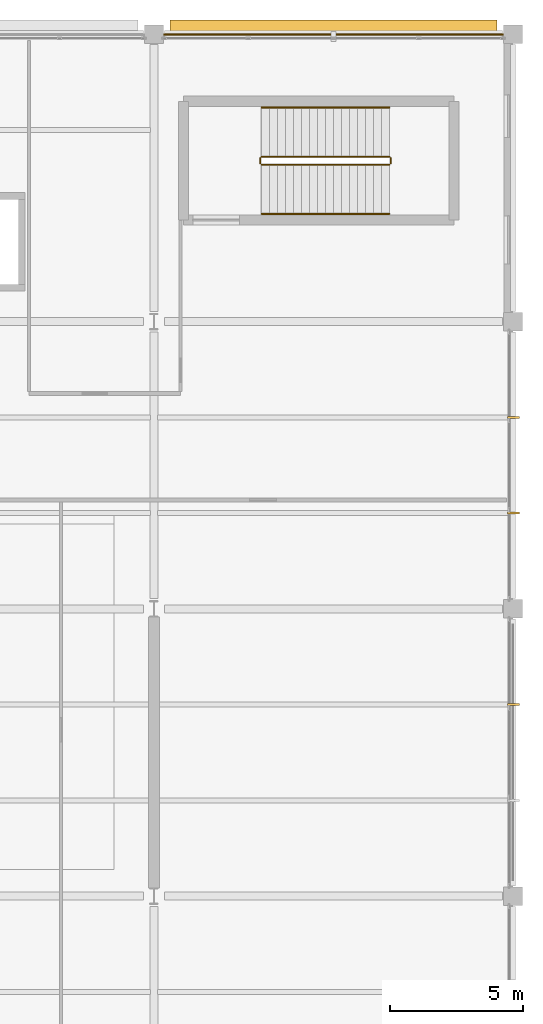
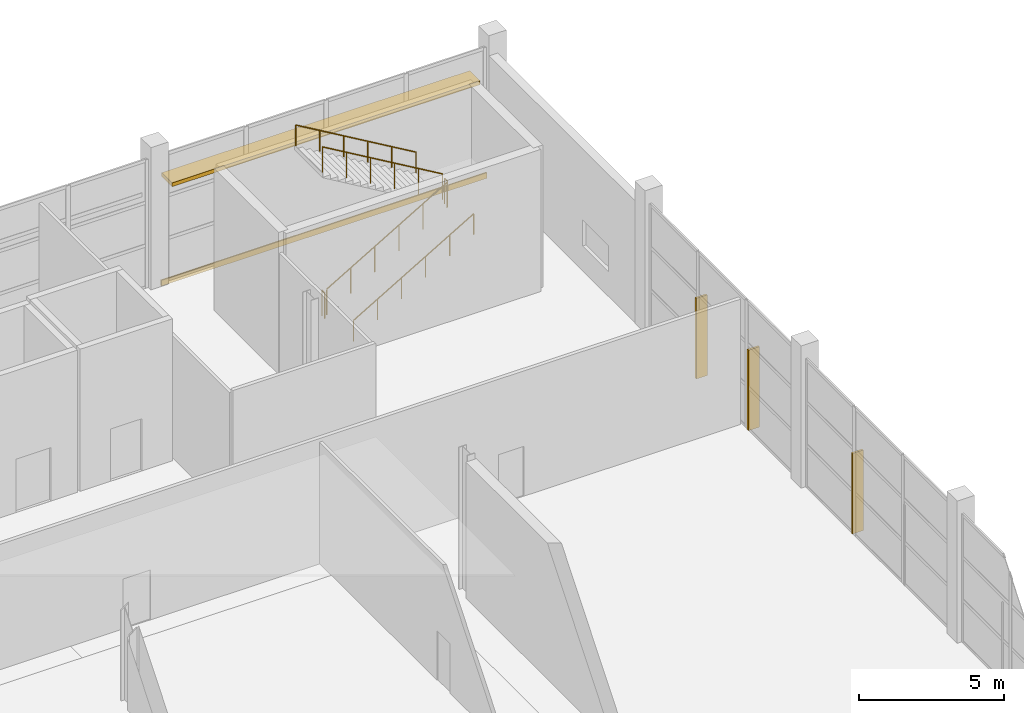
# One storey, part 191 of 191: 6 railings, 4 shading devices, 1 covering.
"""IFC4 building model written with IfcOpenShell, lengths in metres."""

from ifc_helpers import new_model, si_unit, direction, frame, origin, origin_2d, place, context, subcontext, project, spatial, rectangle, circle, extrude, material, layer, layer_set, type_object, element, save


model = new_model("IFC4")

# Units and contexts
model_context = context("Model", 3, precision=1e-05, world=origin(), true_north=direction((0.0, 1.0)))
body_context = subcontext(model_context, "Body", "Model", "MODEL_VIEW")
ifc_project = project(units=[si_unit("LENGTHUNIT", "METRE"), si_unit("AREAUNIT", "SQUARE_METRE"), si_unit("VOLUMEUNIT", "CUBIC_METRE"), si_unit("PLANEANGLEUNIT", "RADIAN"), si_unit("MASSUNIT", "GRAM", prefix="KILO")], contexts=[model_context])

# Site, building, storey
site_placement = place(None, origin())
site = spatial("IfcSite", under=ifc_project, at=site_placement, CompositionType="ELEMENT")
building_placement = place(site_placement, origin())
building = spatial("IfcBuilding", under=site, at=building_placement, Name="Tamarisk Ironworks Central Station", CompositionType="ELEMENT")
storey_placement = place(building_placement, frame((0.0, 0.0, 6.60009765625)))
storey = spatial("IfcBuildingStorey", under=building, at=storey_placement, Name="L01", CompositionType="ELEMENT", Elevation=6.60009765625)

# Covering
ifc_material_1 = material(Name="Clay facing brickwork and mortar", Category="masonry")
ifc_layer = layer(ifc_material_1, 0.050048828125)
ifc_layer_set = layer_set([ifc_layer], Name="Clay facing brickwork and mortar")
covering_type = type_object("IfcCoveringType", Name="COV-CLAD", PredefinedType="CLADDING", material=ifc_layer_set)
covering_placement = place(storey_placement, frame((173.25, 122.389892578125, -0.240234375), z_axis=(0.0, 0.0, 1.0), x_axis=(1.0, 0.0, 0.0)))
element("IfcCovering", 1, at=covering_placement, inside=storey, type_object=covering_type, Name="L01 terracotta slab-edge spandrel cladding 006", PredefinedType="CLADDING", context=body_context, shape_type="SweptSolid", body=[
    extrude(rectangle(XDim=13.0, YDim=0.050048828125, at=origin_2d()), origin(), (0.0, 0.0, 1.0), 0.239990234375),
])

# Railings
ifc_material_2 = material(Name="Brushed stainless steel AISI 316", Category="steel")
railing_type_1 = type_object("IfcRailingType", Name="RL-GUARD-INT", PredefinedType="BALUSTRADE", material=ifc_material_2)
railing_1_placement = place(storey_placement, frame((170.550048828125, 117.5, 0.17626953125)))
element("IfcRailing", 2, at=railing_1_placement, inside=storey, type_object=railing_type_1, Name="L01 ST-C2 stair guard 1", PredefinedType="BALUSTRADE", context=body_context, shape_type="SweptSolid", body=[
    extrude(circle(Radius=0.02392578125, at=origin_2d()), frame((0.0, 0.0, 1.076171875), z_axis=(0.861920691219, 0.0, 0.507043116558), x_axis=(0.0, 1.0, 0.0)), (0.0, 0.0, 1.0), 5.569091796875),
    extrude(circle(Radius=0.02099609375, at=origin_2d()), origin(), (0.0, 0.0, 1.0), 1.052001953125),
    extrude(circle(Radius=0.02099609375, at=origin_2d()), frame((0.9599609375, 0.0, 0.564697265625)), (0.0, 0.0, 1.0), 1.052001953125),
    extrude(circle(Radius=0.02099609375, at=origin_2d()), frame((1.919921875, 0.0, 1.12939453125)), (0.0, 0.0, 1.0), 1.052001953125),
    extrude(circle(Radius=0.02099609375, at=origin_2d()), frame((2.880126953125, 0.0, 1.6943359375)), (0.0, 0.0, 1.0), 1.052001953125),
    extrude(circle(Radius=0.02099609375, at=origin_2d()), frame((3.840087890625, 0.0, 2.259033203125)), (0.0, 0.0, 1.0), 1.052001953125),
    extrude(circle(Radius=0.02099609375, at=origin_2d()), frame((4.800048828125, 0.0, 2.82373046875)), (0.0, 0.0, 1.0), 1.052001953125),
])
railing_2_placement = place(storey_placement, frame((175.39990234375, 117.550048828125, 3.0)))
element("IfcRailing", 3, at=railing_2_placement, inside=storey, type_object=railing_type_1, Name="L01 ST-C2 stair guard 2", PredefinedType="BALUSTRADE", context=body_context, shape_type="SweptSolid", body=[
    extrude(circle(Radius=0.02392578125, at=origin_2d()), frame((0.0, 0.0, 1.076171875), z_axis=(0.0, 1.0, 0.0), x_axis=(-1.0, 0.0, 0.0)), (0.0, 0.0, 1.0), 0.199951171875),
    extrude(circle(Radius=0.02099609375, at=origin_2d()), origin(), (0.0, 0.0, 1.0), 1.052001953125),
    extrude(circle(Radius=0.02099609375, at=origin_2d()), frame((0.0, 0.199951171875, 0.0)), (0.0, 0.0, 1.0), 1.052001953125),
])
railing_3_placement = place(storey_placement, frame((175.35009765625, 117.800048828125, 3.17626953125)))
element("IfcRailing", 4, at=railing_3_placement, inside=storey, type_object=railing_type_1, Name="L01 ST-C2 stair guard 3", PredefinedType="BALUSTRADE", context=body_context, shape_type="SweptSolid", body=[
    extrude(circle(Radius=0.02392578125, at=origin_2d()), frame((0.0, 0.0, 1.076171875), z_axis=(-0.861920691219, 0.0, 0.507043116558), x_axis=(0.0, -1.0, 0.0)), (0.0, 0.0, 1.0), 5.569091796875),
    extrude(circle(Radius=0.02099609375, at=origin_2d()), origin(), (0.0, 0.0, 1.0), 1.052001953125),
    extrude(circle(Radius=0.02099609375, at=origin_2d()), frame((-0.9599609375, 0.0, 0.564697265625)), (0.0, 0.0, 1.0), 1.052001953125),
    extrude(circle(Radius=0.02099609375, at=origin_2d()), frame((-1.919921875, 0.0, 1.12939453125)), (0.0, 0.0, 1.0), 1.052001953125),
    extrude(circle(Radius=0.02099609375, at=origin_2d()), frame((-2.880126953125, 0.0, 1.6943359375)), (0.0, 0.0, 1.0), 1.052001953125),
    extrude(circle(Radius=0.02099609375, at=origin_2d()), frame((-3.840087890625, 0.0, 2.259033203125)), (0.0, 0.0, 1.0), 1.052001953125),
    extrude(circle(Radius=0.02099609375, at=origin_2d()), frame((-4.800048828125, 0.0, 2.82373046875)), (0.0, 0.0, 1.0), 1.052001953125),
])
railing_4_placement = place(storey_placement, frame((170.5, 117.550048828125, 0.0)))
element("IfcRailing", 5, at=railing_4_placement, inside=storey, type_object=railing_type_1, Name="L01 ST-C2 stair guard 4", PredefinedType="BALUSTRADE", context=body_context, shape_type="SweptSolid", body=[
    extrude(circle(Radius=0.02392578125, at=origin_2d()), frame((0.0, 0.0, 1.076171875), z_axis=(0.0, 1.0, 0.0), x_axis=(-1.0, 0.0, 0.0)), (0.0, 0.0, 1.0), 0.199951171875),
    extrude(circle(Radius=0.02099609375, at=origin_2d()), origin(), (0.0, 0.0, 1.0), 1.052001953125),
    extrude(circle(Radius=0.02099609375, at=origin_2d()), frame((0.0, 0.199951171875, 0.0)), (0.0, 0.0, 1.0), 1.052001953125),
])
railing_type_2 = type_object("IfcRailingType", Name="RL-HAND", PredefinedType="HANDRAIL", material=ifc_material_2)
railing_5_placement = place(storey_placement, frame((170.550048828125, 115.64990234375, 0.17626953125)))
element("IfcRailing", 6, at=railing_5_placement, inside=storey, type_object=railing_type_2, Name="L01 ST-C2 stair handrail 1", PredefinedType="HANDRAIL", context=body_context, shape_type="SweptSolid", body=[
    extrude(circle(Radius=0.02392578125, at=origin_2d()), frame((0.0, 0.0, 0.8759765625), z_axis=(0.861920691219, 0.0, 0.507043116558), x_axis=(0.0, 1.0, 0.0)), (0.0, 0.0, 1.0), 5.569091796875),
    extrude(circle(Radius=0.02099609375, at=origin_2d()), origin(), (0.0, 0.0, 1.0), 0.851806640625),
    extrude(circle(Radius=0.02099609375, at=origin_2d()), frame((0.9599609375, 0.0, 0.564697265625)), (0.0, 0.0, 1.0), 0.851806640625),
    extrude(circle(Radius=0.02099609375, at=origin_2d()), frame((1.919921875, 0.0, 1.12939453125)), (0.0, 0.0, 1.0), 0.851806640625),
    extrude(circle(Radius=0.02099609375, at=origin_2d()), frame((2.880126953125, 0.0, 1.6943359375)), (0.0, 0.0, 1.0), 0.851806640625),
    extrude(circle(Radius=0.02099609375, at=origin_2d()), frame((3.840087890625, 0.0, 2.259033203125)), (0.0, 0.0, 1.0), 0.851806640625),
    extrude(circle(Radius=0.02099609375, at=origin_2d()), frame((4.800048828125, 0.0, 2.82373046875)), (0.0, 0.0, 1.0), 0.851806640625),
])
railing_6_placement = place(storey_placement, frame((175.35009765625, 119.64990234375, 3.17626953125)))
element("IfcRailing", 7, at=railing_6_placement, inside=storey, type_object=railing_type_2, Name="L01 ST-C2 stair handrail 2", PredefinedType="HANDRAIL", context=body_context, shape_type="SweptSolid", body=[
    extrude(circle(Radius=0.02392578125, at=origin_2d()), frame((0.0, 0.0, 0.8759765625), z_axis=(-0.861920691219, 0.0, 0.507043116558), x_axis=(0.0, -1.0, 0.0)), (0.0, 0.0, 1.0), 5.569091796875),
    extrude(circle(Radius=0.02099609375, at=origin_2d()), origin(), (0.0, 0.0, 1.0), 0.851806640625),
    extrude(circle(Radius=0.02099609375, at=origin_2d()), frame((-0.9599609375, 0.0, 0.564697265625)), (0.0, 0.0, 1.0), 0.851806640625),
    extrude(circle(Radius=0.02099609375, at=origin_2d()), frame((-1.919921875, 0.0, 1.12939453125)), (0.0, 0.0, 1.0), 0.851806640625),
    extrude(circle(Radius=0.02099609375, at=origin_2d()), frame((-2.880126953125, 0.0, 1.6943359375)), (0.0, 0.0, 1.0), 0.851806640625),
    extrude(circle(Radius=0.02099609375, at=origin_2d()), frame((-3.840087890625, 0.0, 2.259033203125)), (0.0, 0.0, 1.0), 0.851806640625),
    extrude(circle(Radius=0.02099609375, at=origin_2d()), frame((-4.800048828125, 0.0, 2.82373046875)), (0.0, 0.0, 1.0), 0.851806640625),
])

# Shading devices
ifc_material_3 = material(Name="Anodized aluminium alloy 6063-T6", Category="aluminium")
shading_device_type_1 = type_object("IfcShadingDeviceType", Name="SHD-FN01", PredefinedType="USERDEFINED", material=ifc_material_3)
for number, where, z_axis, x_axis, name in (
    (8, (180.02001953125, 97.199951171875, 0.0), (0.0, 0.0, 1.0), (1.0, 0.0, 0.0), "L01 east vertical solar brise-soleil fin 022"),
    (9, (180.02001953125, 104.39990234375, 0.0), (0.0, 0.0, 1.0), (1.0, 0.0, 0.0), "L01 east vertical solar brise-soleil fin 023"),
    (10, (180.02001953125, 108.0, 0.0), (0.0, 0.0, 1.0), (1.0, 0.0, 0.0), "L01 east vertical solar brise-soleil fin 024"),
):
    element("IfcShadingDevice", number, at=place(storey_placement, frame(where, z_axis=z_axis, x_axis=x_axis)), inside=storey, type_object=shading_device_type_1, Name=name, ObjectType="BRISE SOLEIL FIN", PredefinedType="USERDEFINED", context=body_context, shape_type="SweptSolid", body=[
        extrude(rectangle(XDim=0.43994140625, YDim=0.080078125, at=origin_2d()), origin(), (0.0, 0.0, 1.0), 3.39990234375),
    ])
shading_device_type_2 = type_object("IfcShadingDeviceType", Name="SHD-LV02", PredefinedType="JALOUSIE", material=ifc_material_3)
shading_device_placement = place(storey_placement, frame((173.25, 122.580078125, 3.919921875), z_axis=(0.0, 0.0, 1.0), x_axis=(1.0, 0.0, 0.0)))
element("IfcShadingDevice", 11, at=shading_device_placement, inside=storey, type_object=shading_device_type_2, Name="L01 north horizontal solar jalousie canopy 003", PredefinedType="JALOUSIE", context=body_context, shape_type="SweptSolid", body=[
    extrude(rectangle(XDim=12.300048828125, YDim=0.719970703125, at=origin_2d()), origin(), (0.0, 0.0, 1.0), 0.159912109375),
])

save(model, "model.ifc")
